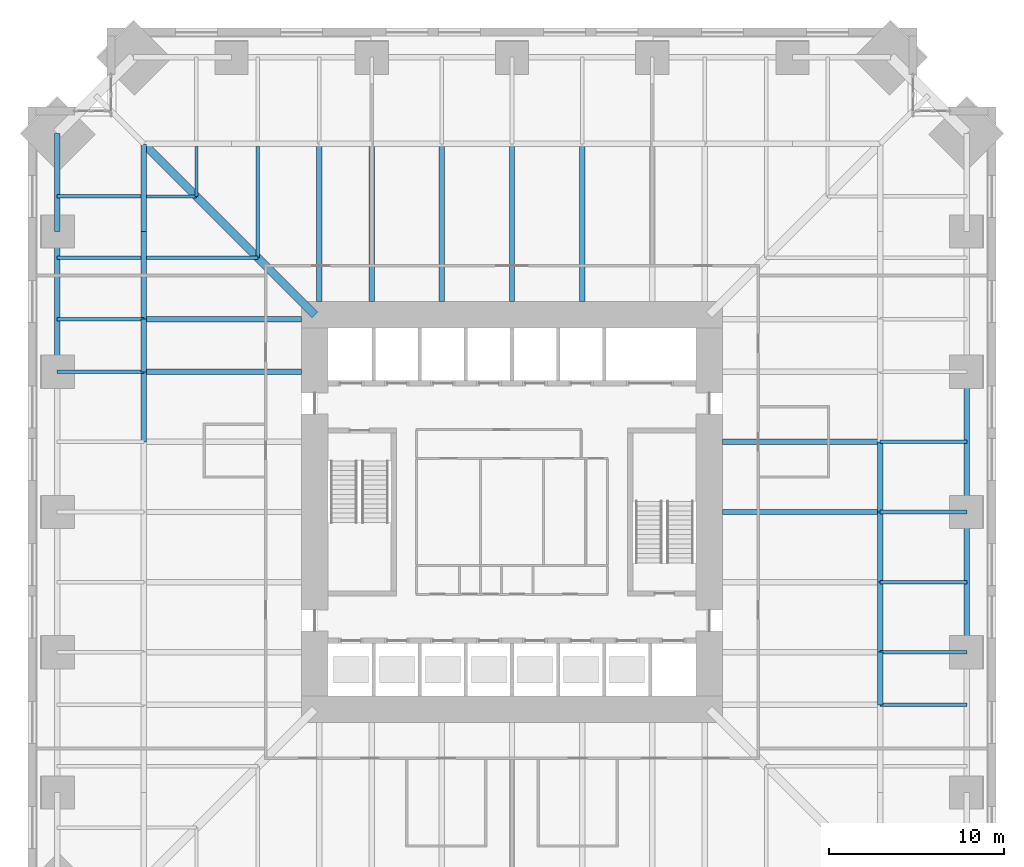
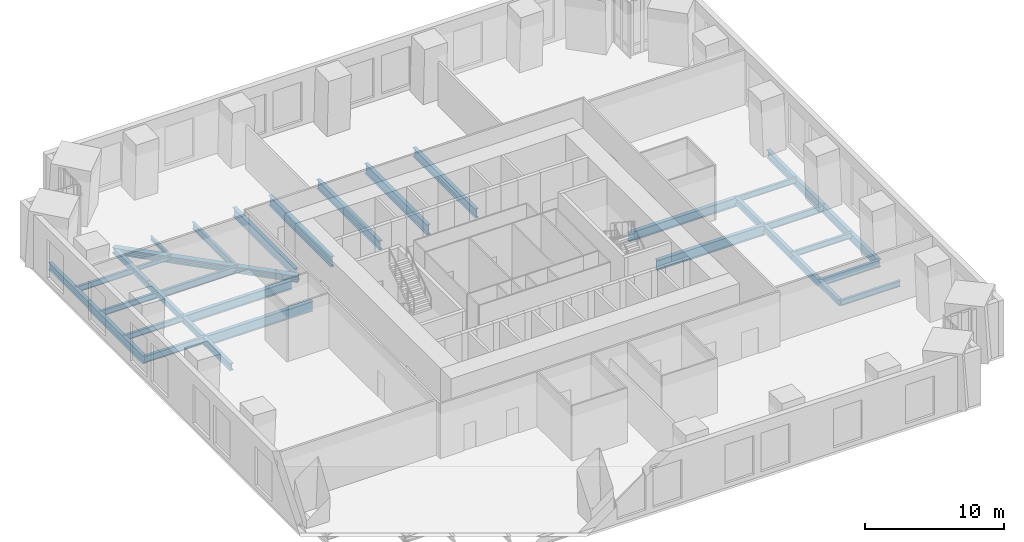
# One storey, part 5 of 18: 35 beams.
"""IFC4 building model written with IfcOpenShell, lengths in metres."""

from ifc_helpers import new_model, si_unit, direction, frame, origin, origin_2d, place, context, subcontext, project, spatial, i_section, extrude, material, material_profile, profile_set, type_object, element, save


model = new_model("IFC4")

# Units and contexts
model_context = context("Model", 3, precision=1e-05, world=origin(), true_north=direction((0.0, 1.0)))
body_context = subcontext(model_context, "Body", "Model", "MODEL_VIEW")
ifc_project = project(units=[si_unit("LENGTHUNIT", "METRE"), si_unit("AREAUNIT", "SQUARE_METRE"), si_unit("VOLUMEUNIT", "CUBIC_METRE"), si_unit("PLANEANGLEUNIT", "RADIAN"), si_unit("MASSUNIT", "GRAM", prefix="KILO")], contexts=[model_context])

# Site, building, storey
site_placement = place(None, origin())
site = spatial("IfcSite", under=ifc_project, at=site_placement, CompositionType="ELEMENT")
building_placement = place(site_placement, origin())
building = spatial("IfcBuilding", under=site, at=building_placement, Name="Peilmerk Tower", CompositionType="ELEMENT")
storey_placement = place(building_placement, frame((0.0, 0.0, 122.800048828125)))
storey = spatial("IfcBuildingStorey", under=building, at=storey_placement, Name="L24", CompositionType="ELEMENT", Elevation=122.800048828125)

# Beams
ifc_material_1 = material(Name="Steel S355", Category="steel")
ifc_material_profile_1 = material_profile(ifc_material_1, i_section(OverallWidth=0.219970703125, OverallDepth=0.60009765625, WebThickness=0.011962890625, FlangeThickness=0.01904296875, at=origin_2d()), Name="IPE 600")
ifc_profile_set_1 = profile_set([ifc_material_profile_1], Name="Steel S355")
beam_type_1 = type_object("IfcBeamType", Name="B10 IPE 600 floor beam", PredefinedType="BEAM", material=ifc_profile_set_1)
for number, where, z_axis, x_axis, name in (
    (1, (21.0, -8.0, -0.5), (1.0, 0.0, 0.0), (0.0, 1.0, 0.0), "Floor girder L24"),
    (2, (21.0, 0.0, -0.5), (1.0, 0.0, 0.0), (0.0, 1.0, 0.0), "Floor girder L24"),
    (3, (-21.0, 8.0, -0.5), (-1.0, 0.0, 0.0), (0.0, -1.0, 0.0), "Floor girder L24"),
):
    element("IfcBeam", number, at=place(storey_placement, frame(where, z_axis=z_axis, x_axis=x_axis)), inside=storey, type_object=beam_type_1, Name=name, PredefinedType="BEAM", context=body_context, shape_type="SweptSolid", body=[
        extrude(i_section(OverallWidth=0.219970703125, OverallDepth=0.60009765625, WebThickness=0.011962890625, FlangeThickness=0.01904296875, at=origin_2d()), origin(), (0.0, 0.0, 1.0), 4.945068359375),
    ])
for number, where, z_axis, x_axis, name in (
    (4, (-14.5, 14.5, -0.5), (0.0, 1.0, 0.0), (-1.0, 0.0, 0.0), "Floor beam L24"),
    (5, (-14.5, 14.5, -0.5), (-1.0, 0.0, 0.0), (0.0, -1.0, 0.0), "Floor beam L24"),
):
    element("IfcBeam", number, at=place(storey_placement, frame(where, z_axis=z_axis, x_axis=x_axis)), inside=storey, type_object=beam_type_1, Name=name, PredefinedType="BEAM", context=body_context, shape_type="SweptSolid", body=[
        extrude(i_section(OverallWidth=0.219970703125, OverallDepth=0.60009765625, WebThickness=0.011962890625, FlangeThickness=0.01904296875, at=origin_2d()), origin(), (0.0, 0.0, 1.0), 6.346923828125),
    ])
ifc_material_profile_2 = material_profile(ifc_material_1, i_section(OverallWidth=0.169921875, OverallDepth=0.360107421875, WebThickness=0.008056640625, FlangeThickness=0.0126953125, at=origin_2d()), Name="IPE 360")
ifc_profile_set_2 = profile_set([ifc_material_profile_2], Name="Steel S355")
beam_type_2 = type_object("IfcBeamType", Name="B11 IPE 360 floor beam", PredefinedType="BEAM", material=ifc_profile_set_2)
for number, where, z_axis, x_axis, name in (
    (6, (-18.0, 18.0, -0.380126953125), (0.0, 1.0, 0.0), (-1.0, 0.0, 0.0), "Floor beam L24"),
    (7, (-18.0, 18.0, -0.380126953125), (-1.0, 0.0, 0.0), (0.0, -1.0, 0.0), "Floor beam L24"),
):
    element("IfcBeam", number, at=place(storey_placement, frame(where, z_axis=z_axis, x_axis=x_axis)), inside=storey, type_object=beam_type_2, Name=name, PredefinedType="BEAM", context=body_context, shape_type="SweptSolid", body=[
        extrude(i_section(OverallWidth=0.169921875, OverallDepth=0.360107421875, WebThickness=0.008056640625, FlangeThickness=0.0126953125, at=origin_2d()), origin(), (0.0, 0.0, 1.0), 2.846923828125),
    ])
ifc_material_profile_3 = material_profile(ifc_material_1, i_section(OverallWidth=0.300048828125, OverallDepth=0.7900390625, WebThickness=0.014892578125, FlangeThickness=0.028076171875, at=origin_2d()), Name="HEA 800")
ifc_profile_set_3 = profile_set([ifc_material_profile_3], Name="Steel S355")
beam_type_3 = type_object("IfcBeamType", Name="B3 HEA 800 floor beam", PredefinedType="BEAM", material=ifc_profile_set_3)
for number, where, z_axis, x_axis, name in (
    (8, (4.0, 12.0, -0.594970703125), (0.0, 1.0, 0.0), (-1.0, 0.0, 0.0), "Floor beam L24"),
    (9, (-4.0, 12.0, -0.594970703125), (0.0, 1.0, 0.0), (-1.0, 0.0, 0.0), "Floor beam L24"),
    (10, (-11.0, 12.0, -0.594970703125), (0.0, 1.0, 0.0), (-1.0, 0.0, 0.0), "Floor beam L24"),
    (11, (12.0, 4.0, -0.594970703125), (1.0, 0.0, 0.0), (0.0, 1.0, 0.0), "Floor beam L24"),
    (12, (-12.0, 11.0, -0.594970703125), (-1.0, 0.0, 0.0), (0.0, -1.0, 0.0), "Floor beam L24"),
):
    element("IfcBeam", number, at=place(storey_placement, frame(where, z_axis=z_axis, x_axis=x_axis)), inside=storey, type_object=beam_type_3, Name=name, PredefinedType="BEAM", context=body_context, shape_type="SweptSolid", body=[
        extrude(i_section(OverallWidth=0.300048828125, OverallDepth=0.7900390625, WebThickness=0.014892578125, FlangeThickness=0.028076171875, at=origin_2d()), origin(), (0.0, 0.0, 1.0), 9.0),
    ])
ifc_material_profile_4 = material_profile(ifc_material_1, i_section(OverallWidth=0.303955078125, OverallDepth=0.716064453125, WebThickness=0.02099609375, FlangeThickness=0.0400390625, at=origin_2d()), Name="HEM 700")
ifc_profile_set_4 = profile_set([ifc_material_profile_4], Name="Steel S355")
beam_type_4 = type_object("IfcBeamType", Name="B30 HEM 700 edge beam", PredefinedType="SPANDREL", material=ifc_profile_set_4)
for number, where, z_axis, x_axis, name in (
    (13, (25.945068359375, -8.0, -0.55810546875), (0.0, 1.0, 0.0), (-1.0, 0.0, 0.0), "Edge beam L24"),
    (14, (25.945068359375, 0.0, -0.55810546875), (0.0, 1.0, 0.0), (-1.0, 0.0, 0.0), "Edge beam L24"),
    (15, (-25.945068359375, 16.0, -0.55810546875), (0.0, -1.0, 0.0), (1.0, 0.0, 0.0), "Edge beam L24"),
):
    element("IfcBeam", number, at=place(storey_placement, frame(where, z_axis=z_axis, x_axis=x_axis)), inside=storey, type_object=beam_type_4, Name=name, PredefinedType="SPANDREL", context=body_context, shape_type="SweptSolid", body=[
        extrude(i_section(OverallWidth=0.303955078125, OverallDepth=0.716064453125, WebThickness=0.02099609375, FlangeThickness=0.0400390625, at=origin_2d()), origin(), (0.0, 0.0, 1.0), 8.0),
    ])
ifc_material_profile_5 = material_profile(ifc_material_1, i_section(OverallWidth=0.304931640625, OverallDepth=0.6201171875, WebThickness=0.02099609375, FlangeThickness=0.0400390625, at=origin_2d()), Name="HEM 600")
ifc_profile_set_5 = profile_set([ifc_material_profile_5], Name="Steel S355")
beam_type_5 = type_object("IfcBeamType", Name="B31 HEM 600 edge beam", PredefinedType="SPANDREL", material=ifc_profile_set_5)
beam_1_placement = place(storey_placement, frame((-25.945068359375, 21.59521484375, -0.510009765625), z_axis=(0.0, -1.0, 0.0), x_axis=(1.0, 0.0, 0.0)))
element("IfcBeam", 16, at=beam_1_placement, inside=storey, type_object=beam_type_5, Name="Edge beam L24", PredefinedType="SPANDREL", context=body_context, shape_type="SweptSolid", body=[
    extrude(i_section(OverallWidth=0.304931640625, OverallDepth=0.6201171875, WebThickness=0.02099609375, FlangeThickness=0.0400390625, at=origin_2d()), origin(), (0.0, 0.0, 1.0), 5.59521484375),
])
ifc_material_profile_6 = material_profile(ifc_material_1, i_section(OverallWidth=0.199951171875, OverallDepth=0.5, WebThickness=0.01025390625, FlangeThickness=0.01611328125, at=origin_2d()), Name="IPE 500")
ifc_profile_set_6 = profile_set([ifc_material_profile_6], Name="Steel S355")
beam_type_6 = type_object("IfcBeamType", Name="B32 IPE 500 floor beam", PredefinedType="BEAM", material=ifc_profile_set_6)
for number, where, z_axis, x_axis, name in (
    (17, (21.0, -11.0, -0.449951171875), (1.0, 0.0, 0.0), (0.0, 1.0, 0.0), "Floor beam L24"),
    (18, (21.0, -4.0, -0.449951171875), (1.0, 0.0, 0.0), (0.0, 1.0, 0.0), "Floor beam L24"),
    (19, (21.0, 4.0, -0.449951171875), (1.0, 0.0, 0.0), (0.0, 1.0, 0.0), "Floor beam L24"),
    (20, (-21.0, 11.0, -0.449951171875), (-1.0, 0.0, 0.0), (0.0, -1.0, 0.0), "Floor beam L24"),
):
    element("IfcBeam", number, at=place(storey_placement, frame(where, z_axis=z_axis, x_axis=x_axis)), inside=storey, type_object=beam_type_6, Name=name, PredefinedType="BEAM", context=body_context, shape_type="SweptSolid", body=[
        extrude(i_section(OverallWidth=0.199951171875, OverallDepth=0.5, WebThickness=0.01025390625, FlangeThickness=0.01611328125, at=origin_2d()), origin(), (0.0, 0.0, 1.0), 4.945068359375),
    ])
for number, where, z_axis, x_axis, name in (
    (21, (-21.153076171875, 14.5, -0.449951171875), (-1.0, 0.0, 0.0), (0.0, -1.0, 0.0), "Floor beam L24"),
    (22, (-21.153076171875, 18.0, -0.449951171875), (-1.0, 0.0, 0.0), (0.0, -1.0, 0.0), "Floor beam L24"),
):
    element("IfcBeam", number, at=place(storey_placement, frame(where, z_axis=z_axis, x_axis=x_axis)), inside=storey, type_object=beam_type_6, Name=name, PredefinedType="BEAM", context=body_context, shape_type="SweptSolid", body=[
        extrude(i_section(OverallWidth=0.199951171875, OverallDepth=0.5, WebThickness=0.01025390625, FlangeThickness=0.01611328125, at=origin_2d()), origin(), (0.0, 0.0, 1.0), 4.7919921875),
    ])
ifc_material_profile_7 = material_profile(ifc_material_1, i_section(OverallWidth=0.300048828125, OverallDepth=0.889892578125, WebThickness=0.01611328125, FlangeThickness=0.030029296875, at=origin_2d()), Name="HEA 900")
ifc_profile_set_7 = profile_set([ifc_material_profile_7], Name="Steel S355")
beam_type_7 = type_object("IfcBeamType", Name="B4 HEA 900 floor beam", PredefinedType="BEAM", material=ifc_profile_set_7)
for number, where, z_axis, x_axis, name in (
    (23, (0.0, 12.0, -0.64501953125), (0.0, 1.0, 0.0), (-1.0, 0.0, 0.0), "Floor girder L24"),
    (24, (-8.0, 12.0, -0.64501953125), (0.0, 1.0, 0.0), (-1.0, 0.0, 0.0), "Floor girder L24"),
    (25, (12.0, 0.0, -0.64501953125), (1.0, 0.0, 0.0), (0.0, 1.0, 0.0), "Floor girder L24"),
    (26, (-12.0, 8.0, -0.64501953125), (-1.0, 0.0, 0.0), (0.0, -1.0, 0.0), "Floor girder L24"),
):
    element("IfcBeam", number, at=place(storey_placement, frame(where, z_axis=z_axis, x_axis=x_axis)), inside=storey, type_object=beam_type_7, Name=name, PredefinedType="BEAM", context=body_context, shape_type="SweptSolid", body=[
        extrude(i_section(OverallWidth=0.300048828125, OverallDepth=0.889892578125, WebThickness=0.01611328125, FlangeThickness=0.030029296875, at=origin_2d()), origin(), (0.0, 0.0, 1.0), 9.0),
    ])
ifc_material_profile_8 = material_profile(ifc_material_1, i_section(OverallWidth=0.304931640625, OverallDepth=0.6201171875, WebThickness=0.02099609375, FlangeThickness=0.0400390625, at=origin_2d()), Name="HEM 600")
ifc_profile_set_8 = profile_set([ifc_material_profile_8], Name="Steel S355")
beam_type_8 = type_object("IfcBeamType", Name="B6 HEM 600 ring girder", PredefinedType="BEAM", material=ifc_profile_set_8)
for number, where, z_axis, x_axis, name in (
    (27, (21.0, -8.0, -0.510009765625), (0.0, 1.0, 0.0), (-1.0, 0.0, 0.0), "Ring girder L24"),
    (28, (21.0, -4.0, -0.510009765625), (0.0, 1.0, 0.0), (-1.0, 0.0, 0.0), "Ring girder L24"),
    (29, (21.0, 0.0, -0.510009765625), (0.0, 1.0, 0.0), (-1.0, 0.0, 0.0), "Ring girder L24"),
    (30, (-21.0, 8.0, -0.510009765625), (0.0, -1.0, 0.0), (1.0, 0.0, 0.0), "Ring girder L24"),
):
    element("IfcBeam", number, at=place(storey_placement, frame(where, z_axis=z_axis, x_axis=x_axis)), inside=storey, type_object=beam_type_8, Name=name, PredefinedType="BEAM", context=body_context, shape_type="SweptSolid", body=[
        extrude(i_section(OverallWidth=0.304931640625, OverallDepth=0.6201171875, WebThickness=0.02099609375, FlangeThickness=0.0400390625, at=origin_2d()), origin(), (0.0, 0.0, 1.0), 4.0),
    ])
ifc_material_profile_9 = material_profile(ifc_material_1, i_section(OverallWidth=0.305908203125, OverallDepth=0.52392578125, WebThickness=0.02099609375, FlangeThickness=0.0400390625, at=origin_2d()), Name="HEM 500")
ifc_profile_set_9 = profile_set([ifc_material_profile_9], Name="Steel S355")
beam_type_9 = type_object("IfcBeamType", Name="B7 HEM 500 ring girder", PredefinedType="BEAM", material=ifc_profile_set_9)
beam_2_placement = place(storey_placement, frame((21.0, -11.0, -0.462158203125), z_axis=(0.0, 1.0, 0.0), x_axis=(-1.0, 0.0, 0.0)))
element("IfcBeam", 31, at=beam_2_placement, inside=storey, type_object=beam_type_9, Name="Ring girder L24", PredefinedType="BEAM", context=body_context, shape_type="SweptSolid", body=[
    extrude(i_section(OverallWidth=0.305908203125, OverallDepth=0.52392578125, WebThickness=0.02099609375, FlangeThickness=0.0400390625, at=origin_2d()), origin(), (0.0, 0.0, 1.0), 3.0),
])
for number, where, z_axis, x_axis, name in (
    (32, (-21.0, 21.0, -0.462158203125), (0.0, -1.0, 0.0), (1.0, 0.0, 0.0), "Ring girder L24"),
    (33, (-21.0, 16.0, -0.462158203125), (0.0, -1.0, 0.0), (1.0, 0.0, 0.0), "Ring girder L24"),
):
    element("IfcBeam", number, at=place(storey_placement, frame(where, z_axis=z_axis, x_axis=x_axis)), inside=storey, type_object=beam_type_9, Name=name, PredefinedType="BEAM", context=body_context, shape_type="SweptSolid", body=[
        extrude(i_section(OverallWidth=0.305908203125, OverallDepth=0.52392578125, WebThickness=0.02099609375, FlangeThickness=0.0400390625, at=origin_2d()), origin(), (0.0, 0.0, 1.0), 5.0),
    ])
beam_3_placement = place(storey_placement, frame((-21.0, 11.0, -0.462158203125), z_axis=(0.0, -1.0, 0.0), x_axis=(1.0, 0.0, 0.0)))
element("IfcBeam", 34, at=beam_3_placement, inside=storey, type_object=beam_type_9, Name="Ring girder L24", PredefinedType="BEAM", context=body_context, shape_type="SweptSolid", body=[
    extrude(i_section(OverallWidth=0.305908203125, OverallDepth=0.52392578125, WebThickness=0.02099609375, FlangeThickness=0.0400390625, at=origin_2d()), origin(), (0.0, 0.0, 1.0), 3.0),
])
ifc_material_2 = material(Name="Steel S460", Category="steel")
ifc_material_profile_10 = material_profile(ifc_material_2, i_section(OverallWidth=0.4541015625, OverallDepth=0.569091796875, WebThickness=0.077880859375, FlangeThickness=0.125, at=origin_2d()), Name="HD 400x1086")
ifc_profile_set_10 = profile_set([ifc_material_profile_10], Name="Steel S460")
beam_type_10 = type_object("IfcBeamType", Name="B9 HD 400x1086 corner girder", PredefinedType="BEAM", material=ifc_profile_set_10)
beam_4_placement = place(storey_placement, frame((-11.25, 11.25, -0.484619140625), z_axis=(-0.707106781187, 0.707106781187, 0.0), x_axis=(-0.707106781187, -0.707106781187, 0.0)))
element("IfcBeam", 35, at=beam_4_placement, inside=storey, type_object=beam_type_10, Name="Corner girder L24", PredefinedType="BEAM", context=body_context, shape_type="SweptSolid", body=[
    extrude(i_section(OverallWidth=0.4541015625, OverallDepth=0.569091796875, WebThickness=0.077880859375, FlangeThickness=0.125, at=origin_2d()), origin(), (0.0, 0.0, 1.0), 13.78857421875),
])

save(model, "model.ifc")
